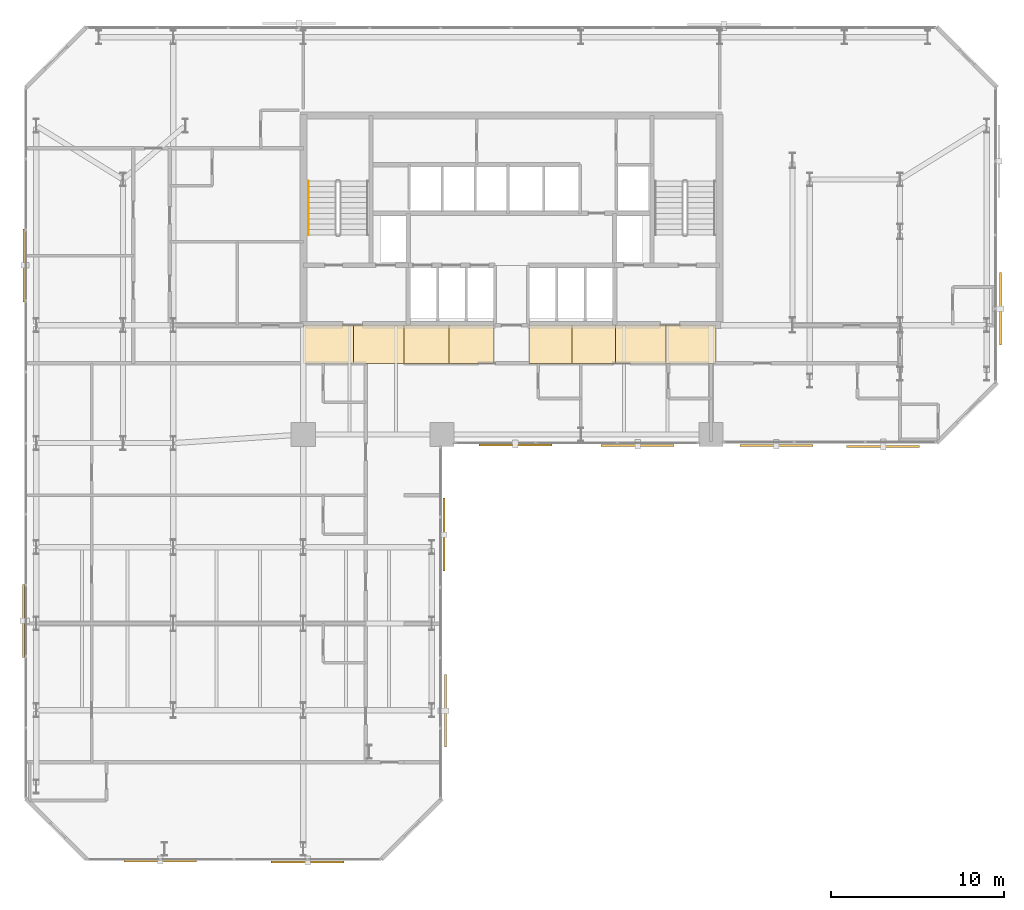
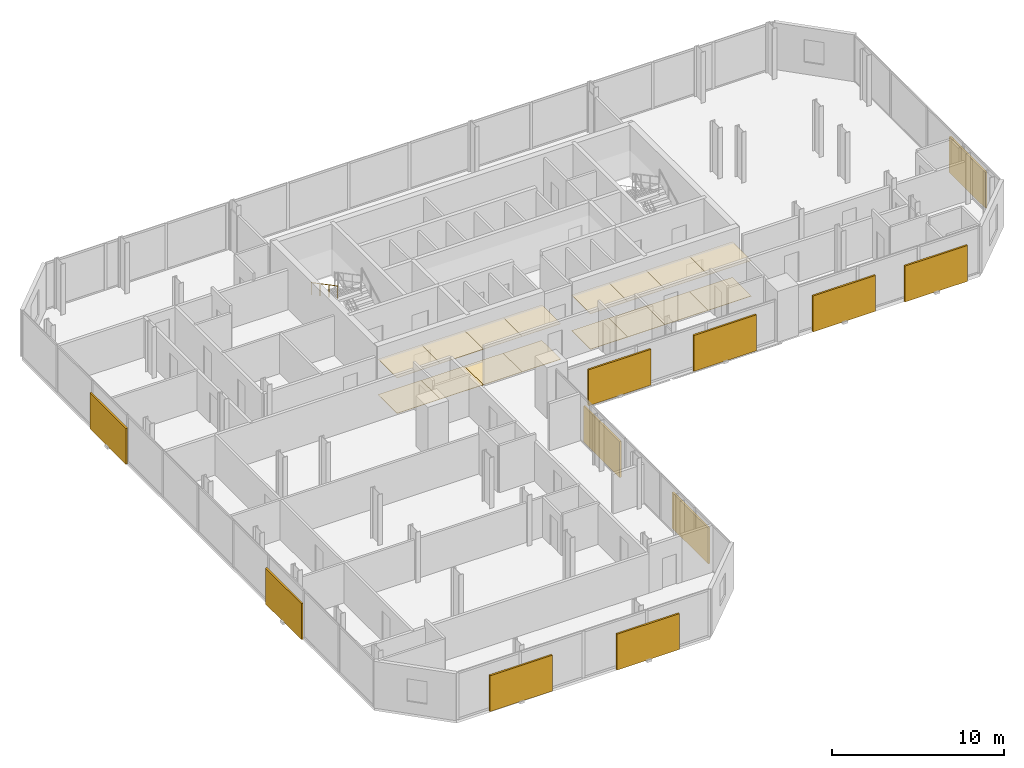
# One storey, part 32 of 33: 16 coverings, 11 shading devices, 1 railing.
"""IFC4 building model written with IfcOpenShell, lengths in metres."""

import ifcopenshell
import ifcopenshell.guid

model = None  # the IFC model being written
_history = None  # IfcOwnerHistory: only IFC2X3 demands one
_inside = {}  # id of a spatial element -> (the spatial element, [elements in it])
_under = {}  # id of a project, library or spatial element -> (it, [spatial elements below it])
_declared = {}  # id of a project -> (the project, [libraries it declares])
_typed = {}  # id of a type object -> (the type object, [elements of that type])
_made_of = {}  # id of a material, layer set ... -> (it, [elements and type objects made of it])


def new_model(schema):
    """Start an empty IFC model of exactly this schema.

    Asked for "IFC4X3", IfcOpenShell would pick the latest addendum, in which some entities
    have other attributes; the version numbers below select the first issue.
    IFC2X3 requires an IfcOwnerHistory on every rooted entity: one is made here for all.
    """
    global model, _history
    if schema == "IFC4X3":
        model = ifcopenshell.file(schema_version=(4, 3, 0, 0))
    else:
        model = ifcopenshell.file(schema=schema)
    _inside.clear()
    _under.clear()
    _declared.clear()
    _typed.clear()
    _made_of.clear()
    _history = None
    if model.schema == "IFC2X3":
        org = make("IfcOrganization", Name="unknown")
        user = make(
            "IfcPersonAndOrganization",
            ThePerson=make("IfcPerson", FamilyName="unknown"),
            TheOrganization=org,
        )
        app = make(
            "IfcApplication",
            ApplicationDeveloper=org,
            Version="unknown",
            ApplicationFullName="unknown",
            ApplicationIdentifier="unknown",
        )
        _history = make(
            "IfcOwnerHistory",
            OwningUser=user,
            OwningApplication=app,
            ChangeAction="ADDED",
            CreationDate=0,
        )
    return model


def make(cls, **values):
    """One entity of the class cls with the attributes given. An attribute that is None is left unset."""
    return model.create_entity(
        cls, **{name: value for name, value in values.items() if value is not None}
    )


def rooted(cls, **values):
    """An entity with a GlobalId (a new one), such as an element, a storey or a relation."""
    return make(cls, GlobalId=ifcopenshell.guid.new(), OwnerHistory=_history, **values)


def si_unit(unit_type, name, prefix=None):
    """IfcSIUnit, for example si_unit("LENGTHUNIT", "METRE", prefix="MILLI")."""
    return make("IfcSIUnit", UnitType=unit_type, Prefix=prefix, Name=name)


def assignment(units):
    """IfcUnitAssignment: the units of a project."""
    return None if units is None else make("IfcUnitAssignment", Units=units)


def point(xyz):
    """IfcCartesianPoint."""
    return None if xyz is None else make("IfcCartesianPoint", Coordinates=xyz)


def direction(xyz):
    """IfcDirection."""
    return None if xyz is None else make("IfcDirection", DirectionRatios=xyz)


def frame(location, z_axis=None, x_axis=None):
    """IfcAxis2Placement3D, a coordinate frame: its origin and axes. An axis left out is left unset."""
    return make(
        "IfcAxis2Placement3D",
        Location=point(location),
        Axis=direction(z_axis),
        RefDirection=direction(x_axis),
    )


def frame_2d(location, x_axis=None):
    """IfcAxis2Placement2D, a coordinate frame in the plane: its origin and x axis."""
    return make(
        "IfcAxis2Placement2D", Location=point(location), RefDirection=direction(x_axis)
    )


def origin():
    """The frame at (0, 0, 0) with its axes left unset."""
    return frame((0.0, 0.0, 0.0))


def origin_2d():
    """The frame at (0, 0) in the plane with its x axis left unset."""
    return frame_2d((0.0, 0.0))


def place(relative_to, where):
    """IfcLocalPlacement: puts the frame where relative to a parent placement (None: the world)."""
    return make(
        "IfcLocalPlacement", PlacementRelTo=relative_to, RelativePlacement=where
    )


def context(
    kind, dimensions, precision=None, world=None, true_north=None, identifier=None
):
    """IfcGeometricRepresentationContext, for example the 3D "Model" context."""
    return make(
        "IfcGeometricRepresentationContext",
        ContextIdentifier=identifier,
        ContextType=kind,
        CoordinateSpaceDimension=dimensions,
        Precision=precision,
        WorldCoordinateSystem=world,
        TrueNorth=true_north,
    )


def subcontext(parent, identifier, kind, view, scale=None):
    """IfcGeometricRepresentationSubContext, for example "Body" below "Model"."""
    return make(
        "IfcGeometricRepresentationSubContext",
        ContextIdentifier=identifier,
        ContextType=kind,
        ParentContext=parent,
        TargetScale=scale,
        TargetView=view,
    )


def project(units=None, contexts=None):
    """IfcProject with its units and contexts."""
    return rooted(
        "IfcProject",
        Name="project",
        RepresentationContexts=contexts,
        UnitsInContext=assignment(units),
    )


def spatial(cls, under=None, at=None, **own):
    """A site, building, storey or space (cls), placed at a placement, below another one or the project."""
    s = rooted(cls, ObjectPlacement=at, **own)
    if under is not None:
        _under.setdefault(under.id(), (under, []))[1].append(s)
    return s


def polyline(points):
    """IfcPolyline through the points."""
    return make("IfcPolyline", Points=[point(p) for p in points])


def profile(cls, at=None, kind="AREA", **sizes):
    """A parametric profile (cls). Its sizes go by their IFC names, for example OverallWidth=200.0."""
    return make(cls, ProfileType=kind, Position=at, **sizes)


def rectangle(**sizes):
    """IfcRectangleProfileDef."""
    return profile("IfcRectangleProfileDef", **sizes)


def circle(**sizes):
    """IfcCircleProfileDef."""
    return profile("IfcCircleProfileDef", **sizes)


def outline(outer, holes=None, kind="AREA"):
    """IfcArbitraryClosedProfileDef: a profile drawn as a closed curve; with holes, ...WithVoids."""
    if holes is None:
        return make("IfcArbitraryClosedProfileDef", ProfileType=kind, OuterCurve=outer)
    return make(
        "IfcArbitraryProfileDefWithVoids",
        ProfileType=kind,
        OuterCurve=outer,
        InnerCurves=holes,
    )


def extrude(swept, where, along, depth):
    """IfcExtrudedAreaSolid: the profile swept, set in the frame where, extruded along a direction by depth."""
    return make(
        "IfcExtrudedAreaSolid",
        SweptArea=swept,
        Position=where,
        ExtrudedDirection=direction(along),
        Depth=depth,
    )


def shape(context_of_items, identifier, shape_type, items):
    """IfcShapeRepresentation: the items that make up one representation, for example the "Body"."""
    return make(
        "IfcShapeRepresentation",
        ContextOfItems=context_of_items,
        RepresentationIdentifier=identifier,
        RepresentationType=shape_type,
        Items=items,
    )


def material(Name=None, Category=None):
    """IfcMaterial."""
    return make("IfcMaterial", Name=Name, Category=Category)


def layer(
    of_material, thickness, ventilated=None, Name=None, Category=None, Priority=None
):
    """IfcMaterialLayer: one layer of a wall or slab, of a material (None: an air gap)."""
    return make(
        "IfcMaterialLayer",
        Material=of_material,
        LayerThickness=thickness,
        IsVentilated=ventilated,
        Name=Name,
        Category=Category,
        Priority=Priority,
    )


def layer_set(layers, Name=None):
    """IfcMaterialLayerSet."""
    return make("IfcMaterialLayerSet", MaterialLayers=layers, LayerSetName=Name)


def made_of(thing, what):
    """Note that an element or type object is made of a material, layer set ...; save() writes the relation."""
    if what is not None:
        _made_of.setdefault(what.id(), (what, []))[1].append(thing)
    return thing


def type_object(cls, material=None, **own):
    """A type object (cls), such as IfcWallType, which elements share."""
    return made_of(rooted(cls, **own), material)


def element(
    cls,
    number,
    at=None,
    inside=None,
    cuts=None,
    type_object=None,
    material=None,
    context=None,
    identifier="Body",
    shape_type=None,
    held_by="IfcProductDefinitionShape",
    body=None,
    shapes=None,
    **own,
):
    """One element of the class cls, such as IfcWall. Its Tag is "e" and its number.

    at: its placement. inside: the storey or other place that contains it. cuts: it is an
    opening in that element (IfcRelVoidsElement). A single representation is given by context,
    identifier, shape_type and body (its items); several are given by shapes. held_by: the class
    of the entity that holds the representations. save() writes the other relations.
    """
    e = rooted(cls, Tag="e%d" % number, ObjectPlacement=at, **own)
    if body is not None:
        shapes = [shape(context, identifier, shape_type, body)]
    if shapes is not None:
        e.Representation = make(held_by, Representations=shapes)
    if inside is not None:
        _inside.setdefault(inside.id(), (inside, []))[1].append(e)
    if cuts is not None:
        rooted(
            "IfcRelVoidsElement", RelatingBuildingElement=cuts, RelatedOpeningElement=e
        )
    if type_object is not None:
        _typed.setdefault(type_object.id(), (type_object, []))[1].append(e)
    return made_of(e, material)


def aggregate(whole, parts):
    """IfcRelAggregates: a whole, such as a stair, and the parts it consists of."""
    return rooted("IfcRelAggregates", RelatingObject=whole, RelatedObjects=parts)


def save(model, path):
    """Write the relations noted so far, then the file.

    IfcRelAggregates (storeys below a building ...), IfcRelContainedInSpatialStructure (elements
    in a storey), IfcRelDefinesByType, IfcRelAssociatesMaterial and IfcRelDeclares: one each for
    every whole, place, type object, material and project.
    """
    for whole, parts in _under.values():
        aggregate(whole, parts)
    for where, things in _inside.values():
        rooted(
            "IfcRelContainedInSpatialStructure",
            RelatedElements=things,
            RelatingStructure=where,
        )
    for kind, things in _typed.values():
        rooted("IfcRelDefinesByType", RelatedObjects=things, RelatingType=kind)
    for what, things in _made_of.values():
        rooted("IfcRelAssociatesMaterial", RelatedObjects=things, RelatingMaterial=what)
    for by, libraries in _declared.values():
        rooted("IfcRelDeclares", RelatingContext=by, RelatedDefinitions=libraries)
    model.write(path)


model = new_model("IFC4")

# Units and contexts
model_context = context("Model", 3, precision=1e-05, world=origin(), true_north=direction((0.0, 1.0)))
body_context = subcontext(model_context, "Body", "Model", "MODEL_VIEW")
ifc_project = project(units=[si_unit("LENGTHUNIT", "METRE"), si_unit("AREAUNIT", "SQUARE_METRE"), si_unit("VOLUMEUNIT", "CUBIC_METRE"), si_unit("PLANEANGLEUNIT", "RADIAN"), si_unit("MASSUNIT", "GRAM", prefix="KILO")], contexts=[model_context])

# Site, building, storey
site_placement = place(None, origin())
site = spatial("IfcSite", under=ifc_project, at=site_placement, CompositionType="ELEMENT")
building_placement = place(site_placement, origin())
building = spatial("IfcBuilding", under=site, at=building_placement, Name="Catumbela Crestline Tower", CompositionType="ELEMENT")
storey_placement = place(building_placement, frame((0.0, 0.0, 54.6)))
storey = spatial("IfcBuildingStorey", under=building, at=storey_placement, Name="L13", CompositionType="ELEMENT", Elevation=54.6)

# Coverings
ifc_material_1 = material(Name="Mineral-fibre acoustic ceiling")
ifc_layer_1 = layer(ifc_material_1, 0.03, Name="Mineral-fibre acoustic ceiling")
ifc_layer_set_1 = layer_set([ifc_layer_1], Name="Mineral-fibre acoustic ceiling")
covering_type_1 = type_object("IfcCoveringType", Name="CC-AC", PredefinedType="CEILING", material=ifc_layer_set_1)
covering_1_placement = place(storey_placement, frame((0.0, 0.0, 2.52)))
element("IfcCovering", 1, at=covering_1_placement, inside=storey, type_object=covering_type_1, Name="L13 Corridor Acoustic Ceiling Bay 1", PredefinedType="CEILING", context=body_context, shape_type="SweptSolid", body=[
    extrude(outline(polyline([(16.0, 28.6), (18.9, 28.6), (18.9, 30.8), (16.0, 30.8), (16.0, 28.6)])), origin(), (0.0, 0.0, 1.0), 0.03),
])
covering_2_placement = place(storey_placement, frame((0.0, 0.0, 2.52)))
element("IfcCovering", 2, at=covering_2_placement, inside=storey, type_object=covering_type_1, Name="L13 Corridor Acoustic Ceiling Bay 2", PredefinedType="CEILING", context=body_context, shape_type="SweptSolid", body=[
    extrude(outline(polyline([(18.9, 28.6), (21.8, 28.6), (21.8, 30.8), (18.9, 30.8), (18.9, 28.6)])), origin(), (0.0, 0.0, 1.0), 0.03),
])
covering_3_placement = place(storey_placement, frame((0.0, 0.0, 2.52)))
element("IfcCovering", 3, at=covering_3_placement, inside=storey, type_object=covering_type_1, Name="L13 Corridor Acoustic Ceiling Bay 3", PredefinedType="CEILING", context=body_context, shape_type="SweptSolid", body=[
    extrude(outline(polyline([(21.8, 28.6), (24.4, 28.6), (24.4, 30.8), (21.8, 30.8), (21.8, 28.6)])), origin(), (0.0, 0.0, 1.0), 0.03),
])
covering_4_placement = place(storey_placement, frame((0.0, 0.0, 2.52)))
element("IfcCovering", 4, at=covering_4_placement, inside=storey, type_object=covering_type_1, Name="L13 Corridor Acoustic Ceiling Bay 4", PredefinedType="CEILING", context=body_context, shape_type="SweptSolid", body=[
    extrude(outline(polyline([(24.4, 28.6), (27.0, 28.6), (27.0, 30.8), (24.4, 30.8), (24.4, 28.6)])), origin(), (0.0, 0.0, 1.0), 0.03),
])
covering_5_placement = place(storey_placement, frame((0.0, 0.0, 2.52)))
element("IfcCovering", 5, at=covering_5_placement, inside=storey, type_object=covering_type_1, Name="L13 Corridor Acoustic Ceiling Bay 5", PredefinedType="CEILING", context=body_context, shape_type="SweptSolid", body=[
    extrude(outline(polyline([(29.0, 28.6), (31.5, 28.6), (31.5, 30.8), (29.0, 30.8), (29.0, 28.6)])), origin(), (0.0, 0.0, 1.0), 0.03),
])
covering_6_placement = place(storey_placement, frame((0.0, 0.0, 2.52)))
element("IfcCovering", 6, at=covering_6_placement, inside=storey, type_object=covering_type_1, Name="L13 Corridor Acoustic Ceiling Bay 6", PredefinedType="CEILING", context=body_context, shape_type="SweptSolid", body=[
    extrude(outline(polyline([(31.5, 28.6), (34.0, 28.6), (34.0, 30.8), (31.5, 30.8), (31.5, 28.6)])), origin(), (0.0, 0.0, 1.0), 0.03),
])
covering_7_placement = place(storey_placement, frame((0.0, 0.0, 2.52)))
element("IfcCovering", 7, at=covering_7_placement, inside=storey, type_object=covering_type_1, Name="L13 Corridor Acoustic Ceiling Bay 7", PredefinedType="CEILING", context=body_context, shape_type="SweptSolid", body=[
    extrude(outline(polyline([(34.0, 28.6), (36.9, 28.6), (36.9, 30.8), (34.0, 30.8), (34.0, 28.6)])), origin(), (0.0, 0.0, 1.0), 0.03),
])
covering_8_placement = place(storey_placement, frame((0.0, 0.0, 2.52)))
element("IfcCovering", 8, at=covering_8_placement, inside=storey, type_object=covering_type_1, Name="L13 Corridor Acoustic Ceiling Bay 8", PredefinedType="CEILING", context=body_context, shape_type="SweptSolid", body=[
    extrude(outline(polyline([(36.9, 28.6), (39.8, 28.6), (39.8, 30.8), (36.9, 30.8), (36.9, 28.6)])), origin(), (0.0, 0.0, 1.0), 0.03),
])
ifc_material_2 = material(Name="Angolan grey-ochre granite", Category="masonry")
ifc_layer_2 = layer(ifc_material_2, 0.025, Name="Angolan grey-ochre granite")
ifc_layer_set_2 = layer_set([ifc_layer_2], Name="Angolan grey-ochre granite")
covering_type_2 = type_object("IfcCoveringType", Name="CF-GR", PredefinedType="FLOORING", material=ifc_layer_set_2)
covering_9_placement = place(storey_placement, origin())
element("IfcCovering", 9, at=covering_9_placement, inside=storey, type_object=covering_type_2, Name="L13 Corridor Granite Flooring Bay 1", PredefinedType="FLOORING", context=body_context, shape_type="SweptSolid", body=[
    extrude(outline(polyline([(16.0, 28.6), (18.9, 28.6), (18.9, 30.8), (16.0, 30.8), (16.0, 28.6)])), origin(), (0.0, 0.0, 1.0), 0.025),
])
covering_10_placement = place(storey_placement, origin())
element("IfcCovering", 10, at=covering_10_placement, inside=storey, type_object=covering_type_2, Name="L13 Corridor Granite Flooring Bay 2", PredefinedType="FLOORING", context=body_context, shape_type="SweptSolid", body=[
    extrude(outline(polyline([(18.9, 28.6), (21.8, 28.6), (21.8, 30.8), (18.9, 30.8), (18.9, 28.6)])), origin(), (0.0, 0.0, 1.0), 0.025),
])
covering_11_placement = place(storey_placement, origin())
element("IfcCovering", 11, at=covering_11_placement, inside=storey, type_object=covering_type_2, Name="L13 Corridor Granite Flooring Bay 3", PredefinedType="FLOORING", context=body_context, shape_type="SweptSolid", body=[
    extrude(outline(polyline([(21.8, 28.6), (24.4, 28.6), (24.4, 30.8), (21.8, 30.8), (21.8, 28.6)])), origin(), (0.0, 0.0, 1.0), 0.025),
])
covering_12_placement = place(storey_placement, origin())
element("IfcCovering", 12, at=covering_12_placement, inside=storey, type_object=covering_type_2, Name="L13 Corridor Granite Flooring Bay 4", PredefinedType="FLOORING", context=body_context, shape_type="SweptSolid", body=[
    extrude(outline(polyline([(24.4, 28.6), (27.0, 28.6), (27.0, 30.8), (24.4, 30.8), (24.4, 28.6)])), origin(), (0.0, 0.0, 1.0), 0.025),
])
covering_13_placement = place(storey_placement, origin())
element("IfcCovering", 13, at=covering_13_placement, inside=storey, type_object=covering_type_2, Name="L13 Corridor Granite Flooring Bay 5", PredefinedType="FLOORING", context=body_context, shape_type="SweptSolid", body=[
    extrude(outline(polyline([(29.0, 28.6), (31.5, 28.6), (31.5, 30.8), (29.0, 30.8), (29.0, 28.6)])), origin(), (0.0, 0.0, 1.0), 0.025),
])
covering_14_placement = place(storey_placement, origin())
element("IfcCovering", 14, at=covering_14_placement, inside=storey, type_object=covering_type_2, Name="L13 Corridor Granite Flooring Bay 6", PredefinedType="FLOORING", context=body_context, shape_type="SweptSolid", body=[
    extrude(outline(polyline([(31.5, 28.6), (34.0, 28.6), (34.0, 30.8), (31.5, 30.8), (31.5, 28.6)])), origin(), (0.0, 0.0, 1.0), 0.025),
])
covering_15_placement = place(storey_placement, origin())
element("IfcCovering", 15, at=covering_15_placement, inside=storey, type_object=covering_type_2, Name="L13 Corridor Granite Flooring Bay 7", PredefinedType="FLOORING", context=body_context, shape_type="SweptSolid", body=[
    extrude(outline(polyline([(34.0, 28.6), (36.9, 28.6), (36.9, 30.8), (34.0, 30.8), (34.0, 28.6)])), origin(), (0.0, 0.0, 1.0), 0.025),
])
covering_16_placement = place(storey_placement, origin())
element("IfcCovering", 16, at=covering_16_placement, inside=storey, type_object=covering_type_2, Name="L13 Corridor Granite Flooring Bay 8", PredefinedType="FLOORING", context=body_context, shape_type="SweptSolid", body=[
    extrude(outline(polyline([(36.9, 28.6), (39.8, 28.6), (39.8, 30.8), (36.9, 30.8), (36.9, 28.6)])), origin(), (0.0, 0.0, 1.0), 0.025),
])

# Railing
ifc_material_3 = material(Name="Stainless steel EN 1.4401", Category="steel")
railing_type = type_object("IfcRailingType", Name="RH-0900", PredefinedType="HANDRAIL", material=ifc_material_3)
railing_placement = place(storey_placement, frame((16.3, 39.1, 1.9636)))
element("IfcRailing", 17, at=railing_placement, inside=storey, type_object=railing_type, Name="L13 ST-01 stair handrail 2", PredefinedType="HANDRAIL", context=body_context, shape_type="SweptSolid", body=[
    extrude(circle(Radius=0.024, at=origin_2d()), frame((0.0, 0.0, 0.876), z_axis=(0.0, -0.884350731049, 0.466823076222), x_axis=(1.0, 0.0, 0.0)), (0.0, 0.0, 1.0), 3.5054),
    extrude(circle(Radius=0.021, at=origin_2d()), origin(), (0.0, 0.0, 1.0), 0.852),
    extrude(circle(Radius=0.021, at=origin_2d()), frame((0.0, -1.0333, 0.5455)), (0.0, 0.0, 1.0), 0.852),
    extrude(circle(Radius=0.021, at=origin_2d()), frame((0.0, -2.0667, 1.0909)), (0.0, 0.0, 1.0), 0.852),
    extrude(circle(Radius=0.021, at=origin_2d()), frame((0.0, -3.1, 1.6364)), (0.0, 0.0, 1.0), 0.852),
])

# Shading devices
ifc_material_4 = material(Name="Extruded terracotta ceramic", Category="masonry")
shading_device_type_1 = type_object("IfcShadingDeviceType", Name="ST-180", PredefinedType="USERDEFINED", material=ifc_material_4)
for number, where, z_axis, x_axis, name in (
    (18, (7.75, -0.099, -0.1), (0.0, 0.0, 1.0), (1.0, 0.0, 0.0), "L13 Perforated Terracotta Solar Screen 113 (180 mm)"),
    (19, (24.099, 18.725, -0.1), (0.0, 0.0, 1.0), (0.0, 1.0, 0.0), "L13 Perforated Terracotta Solar Screen 116 (180 mm)"),
    (20, (28.225, 23.901, -0.1), (0.0, 0.0, 1.0), (1.0, 0.0, 0.0), "L13 Perforated Terracotta Solar Screen 117 (180 mm)"),
    (21, (-0.099, 34.25, -0.1), (0.0, 0.0, 1.0), (0.0, -1.0, 0.0), "L13 Perforated Terracotta Solar Screen 125 (180 mm)"),
):
    element("IfcShadingDevice", number, at=place(storey_placement, frame(where, z_axis=z_axis, x_axis=x_axis)), inside=storey, type_object=shading_device_type_1, Name=name, ObjectType="SCREEN", PredefinedType="USERDEFINED", context=body_context, shape_type="SweptSolid", body=[
        extrude(rectangle(XDim=4.2, YDim=0.12, at=origin_2d()), origin(), (0.0, 0.0, 1.0), 2.55),
    ])
shading_device_type_2 = type_object("IfcShadingDeviceType", Name="ST-260", PredefinedType="USERDEFINED", material=ifc_material_4)
for number, where, z_axis, x_axis, name in (
    (22, (16.25, -0.143, -0.1), (0.0, 0.0, 1.0), (1.0, 0.0, 0.0), "L13 Perforated Terracotta Solar Screen 114 (260 mm)"),
    (23, (35.275, 23.857, -0.1), (0.0, 0.0, 1.0), (1.0, 0.0, 0.0), "L13 Perforated Terracotta Solar Screen 118 (260 mm)"),
    (24, (43.275, 23.857, -0.1), (0.0, 0.0, 1.0), (1.0, 0.0, 0.0), "L13 Perforated Terracotta Solar Screen 119 (260 mm)"),
    (25, (-0.143, 13.75, -0.1), (0.0, 0.0, 1.0), (0.0, -1.0, 0.0), "L13 Perforated Terracotta Solar Screen 126 (260 mm)"),
):
    element("IfcShadingDevice", number, at=place(storey_placement, frame(where, z_axis=z_axis, x_axis=x_axis)), inside=storey, type_object=shading_device_type_2, Name=name, ObjectType="SCREEN", PredefinedType="USERDEFINED", context=body_context, shape_type="SweptSolid", body=[
        extrude(rectangle(XDim=4.2, YDim=0.12, at=origin_2d()), origin(), (0.0, 0.0, 1.0), 2.55),
    ])
shading_device_type_3 = type_object("IfcShadingDeviceType", Name="ST-340", PredefinedType="USERDEFINED", material=ifc_material_4)
for number, where, z_axis, x_axis, name in (
    (26, (24.187, 8.575, -0.1), (0.0, 0.0, 1.0), (0.0, 1.0, 0.0), "L13 Perforated Terracotta Solar Screen 115 (340 mm)"),
    (27, (49.425, 23.813, -0.1), (0.0, 0.0, 1.0), (1.0, 0.0, 0.0), "L13 Perforated Terracotta Solar Screen 120 (340 mm)"),
    (28, (56.187, 31.75, -0.1), (0.0, 0.0, 1.0), (0.0, 1.0, 0.0), "L13 Perforated Terracotta Solar Screen 121 (340 mm)"),
):
    element("IfcShadingDevice", number, at=place(storey_placement, frame(where, z_axis=z_axis, x_axis=x_axis)), inside=storey, type_object=shading_device_type_3, Name=name, ObjectType="SCREEN", PredefinedType="USERDEFINED", context=body_context, shape_type="SweptSolid", body=[
        extrude(rectangle(XDim=4.2, YDim=0.12, at=origin_2d()), origin(), (0.0, 0.0, 1.0), 2.55),
    ])

save(model, "model.ifc")
